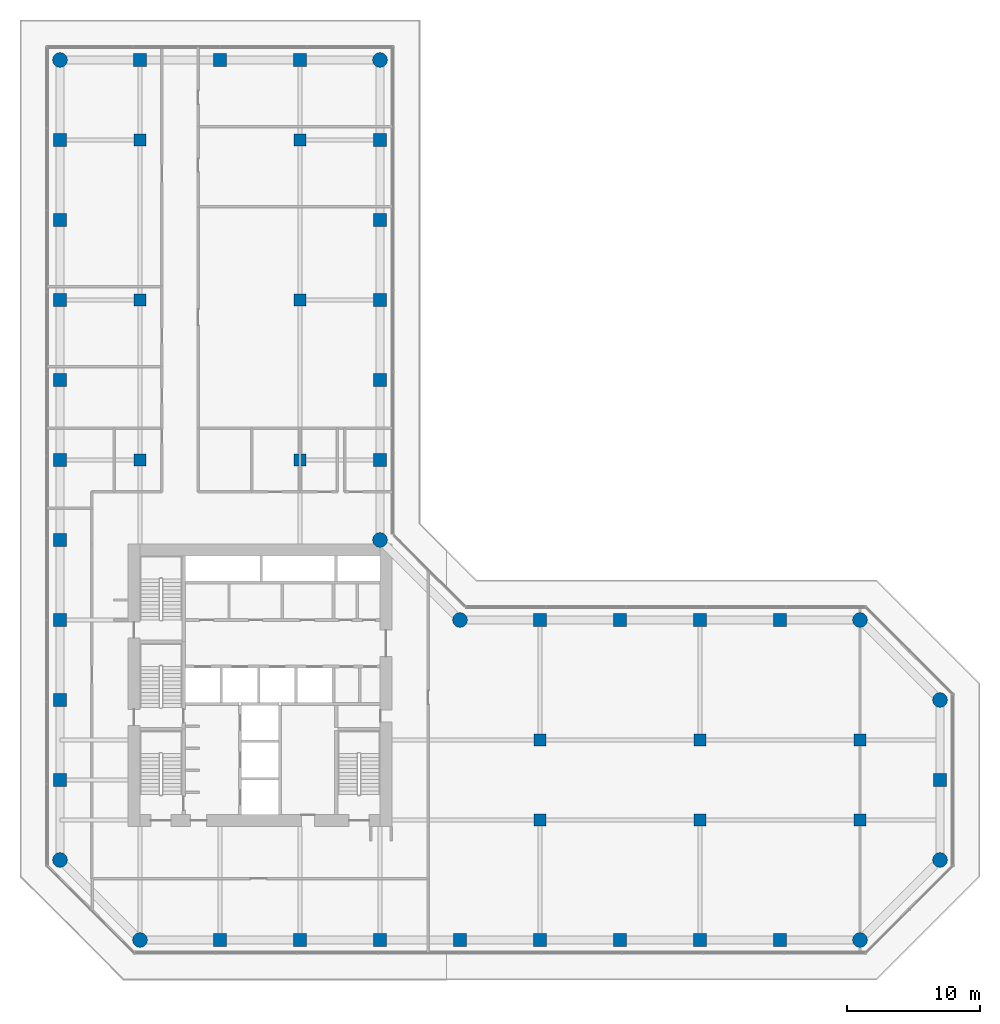
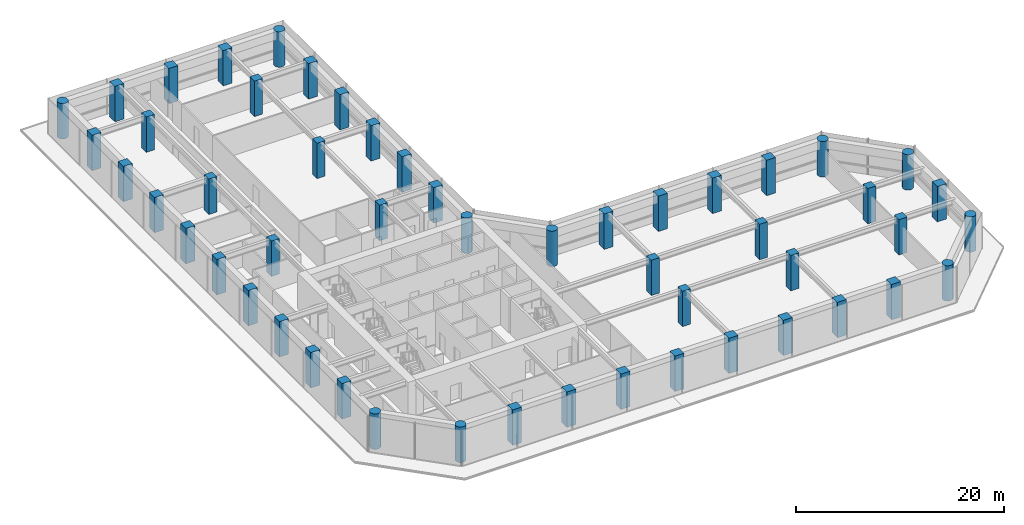
# One storey, part 1 of 24: 52 columns.
"""IFC4 building model written with IfcOpenShell, lengths in metres."""

import ifcopenshell
import ifcopenshell.guid

model = None  # the IFC model being written
_history = None  # IfcOwnerHistory: only IFC2X3 demands one
_inside = {}  # id of a spatial element -> (the spatial element, [elements in it])
_under = {}  # id of a project, library or spatial element -> (it, [spatial elements below it])
_declared = {}  # id of a project -> (the project, [libraries it declares])
_typed = {}  # id of a type object -> (the type object, [elements of that type])
_made_of = {}  # id of a material, layer set ... -> (it, [elements and type objects made of it])


def new_model(schema):
    """Start an empty IFC model of exactly this schema.

    Asked for "IFC4X3", IfcOpenShell would pick the latest addendum, in which some entities
    have other attributes; the version numbers below select the first issue.
    IFC2X3 requires an IfcOwnerHistory on every rooted entity: one is made here for all.
    """
    global model, _history
    if schema == "IFC4X3":
        model = ifcopenshell.file(schema_version=(4, 3, 0, 0))
    else:
        model = ifcopenshell.file(schema=schema)
    _inside.clear()
    _under.clear()
    _declared.clear()
    _typed.clear()
    _made_of.clear()
    _history = None
    if model.schema == "IFC2X3":
        org = make("IfcOrganization", Name="unknown")
        user = make(
            "IfcPersonAndOrganization",
            ThePerson=make("IfcPerson", FamilyName="unknown"),
            TheOrganization=org,
        )
        app = make(
            "IfcApplication",
            ApplicationDeveloper=org,
            Version="unknown",
            ApplicationFullName="unknown",
            ApplicationIdentifier="unknown",
        )
        _history = make(
            "IfcOwnerHistory",
            OwningUser=user,
            OwningApplication=app,
            ChangeAction="ADDED",
            CreationDate=0,
        )
    return model


def make(cls, **values):
    """One entity of the class cls with the attributes given. An attribute that is None is left unset."""
    return model.create_entity(
        cls, **{name: value for name, value in values.items() if value is not None}
    )


def rooted(cls, **values):
    """An entity with a GlobalId (a new one), such as an element, a storey or a relation."""
    return make(cls, GlobalId=ifcopenshell.guid.new(), OwnerHistory=_history, **values)


def si_unit(unit_type, name, prefix=None):
    """IfcSIUnit, for example si_unit("LENGTHUNIT", "METRE", prefix="MILLI")."""
    return make("IfcSIUnit", UnitType=unit_type, Prefix=prefix, Name=name)


def assignment(units):
    """IfcUnitAssignment: the units of a project."""
    return None if units is None else make("IfcUnitAssignment", Units=units)


def point(xyz):
    """IfcCartesianPoint."""
    return None if xyz is None else make("IfcCartesianPoint", Coordinates=xyz)


def direction(xyz):
    """IfcDirection."""
    return None if xyz is None else make("IfcDirection", DirectionRatios=xyz)


def frame(location, z_axis=None, x_axis=None):
    """IfcAxis2Placement3D, a coordinate frame: its origin and axes. An axis left out is left unset."""
    return make(
        "IfcAxis2Placement3D",
        Location=point(location),
        Axis=direction(z_axis),
        RefDirection=direction(x_axis),
    )


def frame_2d(location, x_axis=None):
    """IfcAxis2Placement2D, a coordinate frame in the plane: its origin and x axis."""
    return make(
        "IfcAxis2Placement2D", Location=point(location), RefDirection=direction(x_axis)
    )


def origin():
    """The frame at (0, 0, 0) with its axes left unset."""
    return frame((0.0, 0.0, 0.0))


def origin_2d():
    """The frame at (0, 0) in the plane with its x axis left unset."""
    return frame_2d((0.0, 0.0))


def place(relative_to, where):
    """IfcLocalPlacement: puts the frame where relative to a parent placement (None: the world)."""
    return make(
        "IfcLocalPlacement", PlacementRelTo=relative_to, RelativePlacement=where
    )


def context(
    kind, dimensions, precision=None, world=None, true_north=None, identifier=None
):
    """IfcGeometricRepresentationContext, for example the 3D "Model" context."""
    return make(
        "IfcGeometricRepresentationContext",
        ContextIdentifier=identifier,
        ContextType=kind,
        CoordinateSpaceDimension=dimensions,
        Precision=precision,
        WorldCoordinateSystem=world,
        TrueNorth=true_north,
    )


def subcontext(parent, identifier, kind, view, scale=None):
    """IfcGeometricRepresentationSubContext, for example "Body" below "Model"."""
    return make(
        "IfcGeometricRepresentationSubContext",
        ContextIdentifier=identifier,
        ContextType=kind,
        ParentContext=parent,
        TargetScale=scale,
        TargetView=view,
    )


def project(units=None, contexts=None):
    """IfcProject with its units and contexts."""
    return rooted(
        "IfcProject",
        Name="project",
        RepresentationContexts=contexts,
        UnitsInContext=assignment(units),
    )


def spatial(cls, under=None, at=None, **own):
    """A site, building, storey or space (cls), placed at a placement, below another one or the project."""
    s = rooted(cls, ObjectPlacement=at, **own)
    if under is not None:
        _under.setdefault(under.id(), (under, []))[1].append(s)
    return s


def profile(cls, at=None, kind="AREA", **sizes):
    """A parametric profile (cls). Its sizes go by their IFC names, for example OverallWidth=200.0."""
    return make(cls, ProfileType=kind, Position=at, **sizes)


def rectangle(**sizes):
    """IfcRectangleProfileDef."""
    return profile("IfcRectangleProfileDef", **sizes)


def circle(**sizes):
    """IfcCircleProfileDef."""
    return profile("IfcCircleProfileDef", **sizes)


def extrude(swept, where, along, depth):
    """IfcExtrudedAreaSolid: the profile swept, set in the frame where, extruded along a direction by depth."""
    return make(
        "IfcExtrudedAreaSolid",
        SweptArea=swept,
        Position=where,
        ExtrudedDirection=direction(along),
        Depth=depth,
    )


def shape(context_of_items, identifier, shape_type, items):
    """IfcShapeRepresentation: the items that make up one representation, for example the "Body"."""
    return make(
        "IfcShapeRepresentation",
        ContextOfItems=context_of_items,
        RepresentationIdentifier=identifier,
        RepresentationType=shape_type,
        Items=items,
    )


def material(Name=None, Category=None):
    """IfcMaterial."""
    return make("IfcMaterial", Name=Name, Category=Category)


def material_profile(
    of_material, cross_section, Name=None, Category=None, Priority=None
):
    """IfcMaterialProfile: a cross section and its material."""
    return make(
        "IfcMaterialProfile",
        Name=Name,
        Material=of_material,
        Profile=cross_section,
        Priority=Priority,
        Category=Category,
    )


def profile_set(profiles, Name=None, composite=None):
    """IfcMaterialProfileSet."""
    return make(
        "IfcMaterialProfileSet",
        Name=Name,
        MaterialProfiles=profiles,
        CompositeProfile=composite,
    )


def made_of(thing, what):
    """Note that an element or type object is made of a material, layer set ...; save() writes the relation."""
    if what is not None:
        _made_of.setdefault(what.id(), (what, []))[1].append(thing)
    return thing


def type_object(cls, material=None, **own):
    """A type object (cls), such as IfcWallType, which elements share."""
    return made_of(rooted(cls, **own), material)


def element(
    cls,
    number,
    at=None,
    inside=None,
    cuts=None,
    type_object=None,
    material=None,
    context=None,
    identifier="Body",
    shape_type=None,
    held_by="IfcProductDefinitionShape",
    body=None,
    shapes=None,
    **own,
):
    """One element of the class cls, such as IfcWall. Its Tag is "e" and its number.

    at: its placement. inside: the storey or other place that contains it. cuts: it is an
    opening in that element (IfcRelVoidsElement). A single representation is given by context,
    identifier, shape_type and body (its items); several are given by shapes. held_by: the class
    of the entity that holds the representations. save() writes the other relations.
    """
    e = rooted(cls, Tag="e%d" % number, ObjectPlacement=at, **own)
    if body is not None:
        shapes = [shape(context, identifier, shape_type, body)]
    if shapes is not None:
        e.Representation = make(held_by, Representations=shapes)
    if inside is not None:
        _inside.setdefault(inside.id(), (inside, []))[1].append(e)
    if cuts is not None:
        rooted(
            "IfcRelVoidsElement", RelatingBuildingElement=cuts, RelatedOpeningElement=e
        )
    if type_object is not None:
        _typed.setdefault(type_object.id(), (type_object, []))[1].append(e)
    return made_of(e, material)


def aggregate(whole, parts):
    """IfcRelAggregates: a whole, such as a stair, and the parts it consists of."""
    return rooted("IfcRelAggregates", RelatingObject=whole, RelatedObjects=parts)


def save(model, path):
    """Write the relations noted so far, then the file.

    IfcRelAggregates (storeys below a building ...), IfcRelContainedInSpatialStructure (elements
    in a storey), IfcRelDefinesByType, IfcRelAssociatesMaterial and IfcRelDeclares: one each for
    every whole, place, type object, material and project.
    """
    for whole, parts in _under.values():
        aggregate(whole, parts)
    for where, things in _inside.values():
        rooted(
            "IfcRelContainedInSpatialStructure",
            RelatedElements=things,
            RelatingStructure=where,
        )
    for kind, things in _typed.values():
        rooted("IfcRelDefinesByType", RelatedObjects=things, RelatingType=kind)
    for what, things in _made_of.values():
        rooted("IfcRelAssociatesMaterial", RelatedObjects=things, RelatingMaterial=what)
    for by, libraries in _declared.values():
        rooted("IfcRelDeclares", RelatingContext=by, RelatedDefinitions=libraries)
    model.write(path)


model = new_model("IFC4")

# Units and contexts
model_context = context("Model", 3, precision=1e-05, world=origin(), true_north=direction((0.0, 1.0)))
body_context = subcontext(model_context, "Body", "Model", "MODEL_VIEW")
ifc_project = project(units=[si_unit("LENGTHUNIT", "METRE"), si_unit("AREAUNIT", "SQUARE_METRE"), si_unit("VOLUMEUNIT", "CUBIC_METRE"), si_unit("PLANEANGLEUNIT", "RADIAN"), si_unit("MASSUNIT", "GRAM", prefix="KILO")], contexts=[model_context])

# Site, building, storey
site_placement = place(None, origin())
site = spatial("IfcSite", under=ifc_project, at=site_placement, CompositionType="ELEMENT")
building_placement = place(site_placement, origin())
building = spatial("IfcBuilding", under=site, at=building_placement, Name="Welwitschia Terrace Campus", CompositionType="ELEMENT")
storey_placement = place(building_placement, frame((0.0, 0.0, 24.5)))
storey = spatial("IfcBuildingStorey", under=building, at=storey_placement, Name="L05", CompositionType="ELEMENT", Elevation=24.5)

# Columns
ifc_material_1 = material(Name="Concrete C60/75", Category="concrete")
ifc_material_profile_1 = material_profile(ifc_material_1, circle(Radius=0.550048828125, at=origin_2d()))
ifc_profile_set_1 = profile_set([ifc_material_profile_1], Name="Concrete C60/75")
column_type_1 = type_object("IfcColumnType", Name="Corner column 1100 dia", PredefinedType="COLUMN", material=ifc_profile_set_1)
for number, where, z_axis, x_axis, name in (
    (1, (0.0, 2.0, 0.0), (0.0, 0.0, 1.0), (1.0, 0.0, 0.0), "Column C2"),
    (2, (0.0, 62.0, 0.0), (0.0, 0.0, 1.0), (1.0, 0.0, 0.0), "Column C2"),
    (3, (6.0, -4.0, 0.0), (0.0, 0.0, 1.0), (1.0, 0.0, 0.0), "Column C2"),
    (4, (24.0, 26.0, 0.0), (0.0, 0.0, 1.0), (1.0, 0.0, 0.0), "Column C2"),
    (5, (24.0, 62.0, 0.0), (0.0, 0.0, 1.0), (1.0, 0.0, 0.0), "Column C2"),
    (6, (30.0, 20.0, 0.0), (0.0, 0.0, 1.0), (1.0, 0.0, 0.0), "Column C2"),
    (7, (60.0, -4.0, 0.0), (0.0, 0.0, 1.0), (1.0, 0.0, 0.0), "Column C2"),
    (8, (60.0, 20.0, 0.0), (0.0, 0.0, 1.0), (1.0, 0.0, 0.0), "Column C2"),
    (9, (66.0, 2.0, 0.0), (0.0, 0.0, 1.0), (1.0, 0.0, 0.0), "Column C2"),
    (10, (66.0, 14.0, 0.0), (0.0, 0.0, 1.0), (1.0, 0.0, 0.0), "Column C2"),
):
    element("IfcColumn", number, at=place(storey_placement, frame(where, z_axis=z_axis, x_axis=x_axis)), inside=storey, type_object=column_type_1, Name=name, PredefinedType="COLUMN", context=body_context, shape_type="SweptSolid", body=[
        extrude(circle(Radius=0.550048828125, at=origin_2d()), origin(), (0.0, 0.0, 1.0), 4.14990234375),
    ])
ifc_material_2 = material(Name="Concrete C60/75", Category="concrete")
ifc_material_profile_2 = material_profile(ifc_material_2, rectangle(XDim=0.89990234375, YDim=0.89990234375, at=origin_2d()))
ifc_profile_set_2 = profile_set([ifc_material_profile_2], Name="Concrete C60/75")
column_type_2 = type_object("IfcColumnType", Name="Interior column 900x900", PredefinedType="COLUMN", material=ifc_profile_set_2)
for number, where, z_axis, x_axis, name in (
    (11, (6.0, 32.0, 0.0), (0.0, 0.0, 1.0), (1.0, 0.0, 0.0), "Column C4"),
    (12, (6.0, 44.0, 0.0), (0.0, 0.0, 1.0), (1.0, 0.0, 0.0), "Column C4"),
    (13, (6.0, 56.0, 0.0), (0.0, 0.0, 1.0), (1.0, 0.0, 0.0), "Column C4"),
    (14, (18.0, 32.0, 0.0), (0.0, 0.0, 1.0), (1.0, 0.0, 0.0), "Column C4"),
    (15, (18.0, 44.0, 0.0), (0.0, 0.0, 1.0), (1.0, 0.0, 0.0), "Column C4"),
    (16, (18.0, 56.0, 0.0), (0.0, 0.0, 1.0), (1.0, 0.0, 0.0), "Column C4"),
    (17, (36.0, 5.0, 0.0), (0.0, 0.0, 1.0), (1.0, 0.0, 0.0), "Column C4"),
    (18, (36.0, 11.0, 0.0), (0.0, 0.0, 1.0), (1.0, 0.0, 0.0), "Column C4"),
    (19, (48.0, 5.0, 0.0), (0.0, 0.0, 1.0), (1.0, 0.0, 0.0), "Column C4"),
    (20, (48.0, 11.0, 0.0), (0.0, 0.0, 1.0), (1.0, 0.0, 0.0), "Column C4"),
    (21, (60.0, 5.0, 0.0), (0.0, 0.0, 1.0), (1.0, 0.0, 0.0), "Column C4"),
    (22, (60.0, 11.0, 0.0), (0.0, 0.0, 1.0), (1.0, 0.0, 0.0), "Column C4"),
):
    element("IfcColumn", number, at=place(storey_placement, frame(where, z_axis=z_axis, x_axis=x_axis)), inside=storey, type_object=column_type_2, Name=name, PredefinedType="COLUMN", context=body_context, shape_type="SweptSolid", body=[
        extrude(rectangle(XDim=0.89990234375, YDim=0.89990234375, at=origin_2d()), origin(), (0.0, 0.0, 1.0), 4.14990234375),
    ])
ifc_material_3 = material(Name="Concrete C60/75", Category="concrete")
ifc_material_profile_3 = material_profile(ifc_material_3, rectangle(XDim=1.0, YDim=1.0, at=origin_2d()))
ifc_profile_set_3 = profile_set([ifc_material_profile_3], Name="Concrete C60/75")
column_type_3 = type_object("IfcColumnType", Name="Ring column 1000x1000", PredefinedType="COLUMN", material=ifc_profile_set_3)
for number, where, z_axis, x_axis, name in (
    (23, (0.0, 8.0, 0.0), (0.0, 0.0, 1.0), (1.0, 0.0, 0.0), "Column C3"),
    (24, (0.0, 14.0, 0.0), (0.0, 0.0, 1.0), (1.0, 0.0, 0.0), "Column C3"),
    (25, (0.0, 20.0, 0.0), (0.0, 0.0, 1.0), (1.0, 0.0, 0.0), "Column C3"),
    (26, (0.0, 26.0, 0.0), (0.0, 0.0, 1.0), (1.0, 0.0, 0.0), "Column C3"),
    (27, (0.0, 32.0, 0.0), (0.0, 0.0, 1.0), (1.0, 0.0, 0.0), "Column C3"),
    (28, (0.0, 38.0, 0.0), (0.0, 0.0, 1.0), (1.0, 0.0, 0.0), "Column C3"),
    (29, (0.0, 44.0, 0.0), (0.0, 0.0, 1.0), (1.0, 0.0, 0.0), "Column C3"),
    (30, (0.0, 50.0, 0.0), (0.0, 0.0, 1.0), (1.0, 0.0, 0.0), "Column C3"),
    (31, (0.0, 56.0, 0.0), (0.0, 0.0, 1.0), (1.0, 0.0, 0.0), "Column C3"),
    (32, (6.0, 62.0, 0.0), (0.0, 0.0, 1.0), (1.0, 0.0, 0.0), "Column C3"),
    (33, (12.0, -4.0, 0.0), (0.0, 0.0, 1.0), (1.0, 0.0, 0.0), "Column C3"),
    (34, (12.0, 62.0, 0.0), (0.0, 0.0, 1.0), (1.0, 0.0, 0.0), "Column C3"),
    (35, (18.0, -4.0, 0.0), (0.0, 0.0, 1.0), (1.0, 0.0, 0.0), "Column C3"),
    (36, (18.0, 62.0, 0.0), (0.0, 0.0, 1.0), (1.0, 0.0, 0.0), "Column C3"),
    (37, (24.0, -4.0, 0.0), (0.0, 0.0, 1.0), (1.0, 0.0, 0.0), "Column C3"),
    (38, (24.0, 32.0, 0.0), (0.0, 0.0, 1.0), (1.0, 0.0, 0.0), "Column C3"),
    (39, (24.0, 38.0, 0.0), (0.0, 0.0, 1.0), (1.0, 0.0, 0.0), "Column C3"),
    (40, (24.0, 44.0, 0.0), (0.0, 0.0, 1.0), (1.0, 0.0, 0.0), "Column C3"),
    (41, (24.0, 50.0, 0.0), (0.0, 0.0, 1.0), (1.0, 0.0, 0.0), "Column C3"),
    (42, (24.0, 56.0, 0.0), (0.0, 0.0, 1.0), (1.0, 0.0, 0.0), "Column C3"),
    (43, (30.0, -4.0, 0.0), (0.0, 0.0, 1.0), (1.0, 0.0, 0.0), "Column C3"),
    (44, (36.0, -4.0, 0.0), (0.0, 0.0, 1.0), (1.0, 0.0, 0.0), "Column C3"),
    (45, (36.0, 20.0, 0.0), (0.0, 0.0, 1.0), (1.0, 0.0, 0.0), "Column C3"),
    (46, (42.0, -4.0, 0.0), (0.0, 0.0, 1.0), (1.0, 0.0, 0.0), "Column C3"),
    (47, (42.0, 20.0, 0.0), (0.0, 0.0, 1.0), (1.0, 0.0, 0.0), "Column C3"),
    (48, (48.0, -4.0, 0.0), (0.0, 0.0, 1.0), (1.0, 0.0, 0.0), "Column C3"),
    (49, (48.0, 20.0, 0.0), (0.0, 0.0, 1.0), (1.0, 0.0, 0.0), "Column C3"),
    (50, (54.0, -4.0, 0.0), (0.0, 0.0, 1.0), (1.0, 0.0, 0.0), "Column C3"),
    (51, (54.0, 20.0, 0.0), (0.0, 0.0, 1.0), (1.0, 0.0, 0.0), "Column C3"),
    (52, (66.0, 8.0, 0.0), (0.0, 0.0, 1.0), (1.0, 0.0, 0.0), "Column C3"),
):
    element("IfcColumn", number, at=place(storey_placement, frame(where, z_axis=z_axis, x_axis=x_axis)), inside=storey, type_object=column_type_3, Name=name, PredefinedType="COLUMN", context=body_context, shape_type="SweptSolid", body=[
        extrude(rectangle(XDim=1.0, YDim=1.0, at=origin_2d()), origin(), (0.0, 0.0, 1.0), 4.14990234375),
    ])

save(model, "model.ifc")
